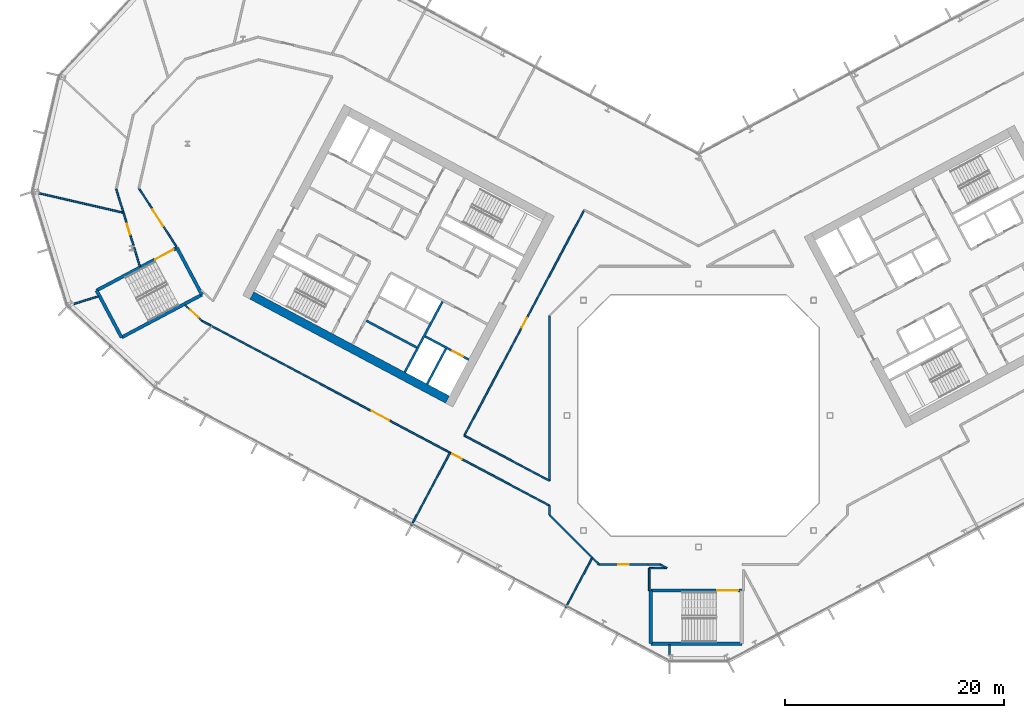
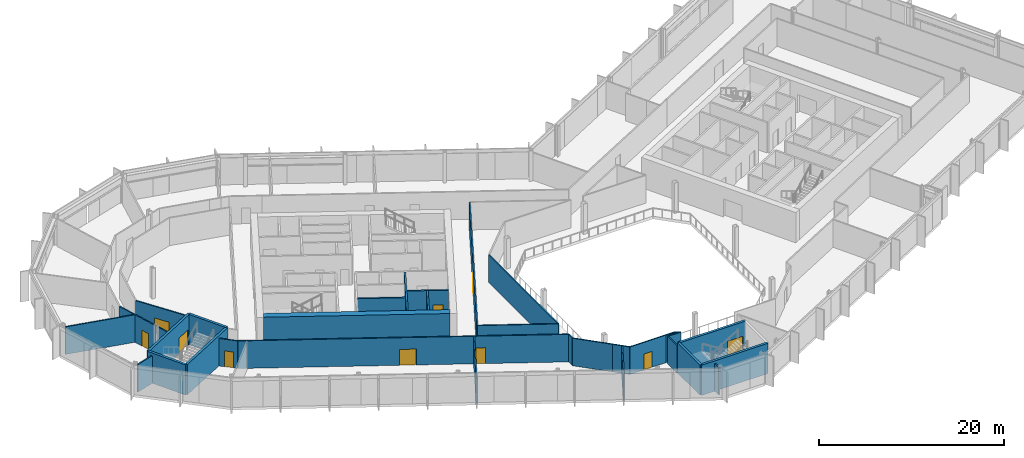
# One storey, part 13 of 28: 36 walls, 10 doors, 10 openings.
"""IFC4 building model written with IfcOpenShell, lengths in metres."""

from ifc_helpers import new_model, si_unit, direction, frame, frame_2d, origin, place, context, subcontext, project, spatial, rectangle, extrude, material, layer, layer_set, type_object, element, fill, save


model = new_model("IFC4")

# Units and contexts
model_context = context("Model", 3, precision=1e-05, world=origin(), true_north=direction((0.0, 1.0)))
body_context = subcontext(model_context, "Body", "Model", "MODEL_VIEW")
ifc_project = project(units=[si_unit("LENGTHUNIT", "METRE"), si_unit("AREAUNIT", "SQUARE_METRE"), si_unit("VOLUMEUNIT", "CUBIC_METRE"), si_unit("PLANEANGLEUNIT", "RADIAN"), si_unit("MASSUNIT", "GRAM", prefix="KILO")], contexts=[model_context])

# Site, building, storey
site_placement = place(None, origin())
site = spatial("IfcSite", under=ifc_project, at=site_placement, CompositionType="ELEMENT")
building_placement = place(site_placement, origin())
building = spatial("IfcBuilding", under=site, at=building_placement, Name="Cormorant Relay Tower", CompositionType="ELEMENT")
storey_placement = place(building_placement, frame((0.0, 0.0, 166.199951171875)))
storey = spatial("IfcBuildingStorey", under=building, at=storey_placement, Name="L35", CompositionType="ELEMENT", Elevation=166.199951171875)

# Walls
ifc_material_1 = material(Name="Concrete 40 MPa", Category="concrete")
ifc_layer_1 = layer(ifc_material_1, 0.199951171875)
ifc_layer_set_1 = layer_set([ifc_layer_1], Name="Core internal wall 200")
wall_type_1 = type_object("IfcWallType", Name="Core internal wall 200", PredefinedType="SOLIDWALL", material=ifc_layer_set_1)
wall_1_placement = place(storey_placement, frame((-25.701904296875, 6.19091796875, 0.0), z_axis=(0.0, 0.0, 1.0), x_axis=(-0.882934506056, 0.469496174655, 0.0)))
element("IfcWall", 1, at=wall_1_placement, inside=storey, type_object=wall_type_1, Name="L35 core A shaft and room wall", PredefinedType="SOLIDWALL", context=body_context, shape_type="SweptSolid", body=[
    extrude(rectangle(XDim=5.199951171875, YDim=0.199951171875, at=frame_2d((2.60009765625, 0.0))), origin(), (0.0, 0.0, 1.0), 4.0),
])
ifc_material_2 = material(Name="Concrete 50 MPa", Category="concrete")
ifc_layer_2 = layer(ifc_material_2, 0.199951171875)
ifc_layer_set_2 = layer_set([ifc_layer_2], Name="Core shaft wall 200")
wall_type_2 = type_object("IfcWallType", Name="Core shaft wall 200", PredefinedType="SHEAR", material=ifc_layer_set_2)
wall_2_placement = place(storey_placement, frame((-23.04296875, 6.07958984375, 0.0), z_axis=(0.0, 0.0, 1.0), x_axis=(-0.469494272526, -0.882935517501, 0.0)))
element("IfcWall", 2, at=wall_2_placement, inside=storey, type_object=wall_type_2, Name="L35 core A shaft wall", PredefinedType="SHEAR", context=body_context, shape_type="SweptSolid", body=[
    extrude(rectangle(XDim=3.64990234375, YDim=0.199951171875, at=frame_2d((1.824951171875, 0.0))), origin(), (0.0, 0.0, 1.0), 4.0),
])
wall_3_placement = place(storey_placement, frame((-23.360107421875, 10.38232421875, 0.0), z_axis=(0.0, 0.0, 1.0), x_axis=(-0.469480409012, -0.88294288918, 0.0)))
element("IfcWall", 3, at=wall_3_placement, inside=storey, type_object=wall_type_2, Name="L35 core A shaft wall", PredefinedType="SHEAR", context=body_context, shape_type="SweptSolid", body=[
    extrude(rectangle(XDim=7.300048828125, YDim=0.199951171875, at=frame_2d((3.64990234375, 0.0))), origin(), (0.0, 0.0, 1.0), 4.0),
])

# Wall, opening, door
wall_4_placement = place(storey_placement, frame((-20.96533203125, 5.088134765625, 0.0), z_axis=(0.0, 0.0, 1.0), x_axis=(-0.882925986334, 0.469512196493, 0.0)))
wall_4 = element("IfcWall", 4, at=wall_4_placement, inside=storey, type_object=wall_type_2, Name="L35 core A shaft wall", PredefinedType="SHEAR", context=body_context, shape_type="SweptSolid", body=[
    extrude(rectangle(XDim=4.5, YDim=0.199951171875, at=frame_2d((2.25, 0.0))), origin(), (0.0, 0.0, 1.0), 4.0),
])
opening_1_placement = place(wall_4_placement, frame((0.60009765625, 0.0, 0.0)))
opening_1 = element("IfcOpeningElement", 5, at=opening_1_placement, cuts=wall_4, Name="Opening LD1-043", PredefinedType="OPENING", context=body_context, shape_type="SweptSolid", body=[
    extrude(rectangle(XDim=1.10009765625, YDim=2.10009765625, at=frame_2d((0.550048828125, 1.050048828125))), frame((0.0, 0.10986328125, 0.0), z_axis=(0.0, -1.0, 0.0), x_axis=(1.0, 0.0, 0.0)), (0.0, 0.0, 1.0), 0.219970703125),
])
ifc_material_3 = material(Name="Stainless steel 316", Category="steel")
door_type_1 = type_object("IfcDoorType", Name="Lift landing door 1100x2100", OperationType="DOUBLE_DOOR_SLIDING", PredefinedType="DOOR", material=ifc_material_3)
door_1_placement = place(opening_1_placement, origin())
door_1 = element("IfcDoor", 6, at=door_1_placement, inside=storey, type_object=door_type_1, Name="FF1 landing door", OperationType="DOUBLE_DOOR_SLIDING", OverallHeight=2.10009765625, OverallWidth=1.10009765625, PredefinedType="DOOR", context=body_context, shape_type="SweptSolid", body=[
    extrude(rectangle(XDim=1.10009765625, YDim=2.10009765625, at=frame_2d((0.550048828125, 1.050048828125))), frame((0.0, 0.02490234375, 0.0), z_axis=(0.0, -1.0, 0.0), x_axis=(1.0, 0.0, 0.0)), (0.0, 0.0, 1.0), 0.050048828125),
])
fill(opening_1, door_1)

# Walls
ifc_material_4 = material(Name="Concrete 60 MPa", Category="concrete")
ifc_layer_3 = layer(ifc_material_4, 0.75)
ifc_layer_set_3 = layer_set([ifc_layer_3], Name="Core wall 750")
wall_type_3 = type_object("IfcWallType", Name="Core wall 750", PredefinedType="SHEAR", material=ifc_layer_set_3)
wall_5_placement = place(storey_placement, frame((-22.90185546875, 1.446044921875, 0.0), z_axis=(0.0, 0.0, 1.0), x_axis=(-0.88294509198, 0.469476266226, 0.0)))
element("IfcWall", 7, at=wall_5_placement, inside=storey, type_object=wall_type_3, Name="L35 core A wall", PredefinedType="SHEAR", context=body_context, shape_type="SweptSolid", body=[
    extrude(rectangle(XDim=20.199951171875, YDim=0.75, at=frame_2d((10.10009765625, 0.0))), origin(), (0.0, 0.0, 1.0), 4.0),
])
ifc_material_5 = material(Name="Gypsum board fire partition")
ifc_layer_4 = layer(ifc_material_5, 0.14990234375)
ifc_layer_set_4 = layer_set([ifc_layer_4], Name="Corridor partition 150 EI 60")
wall_type_4 = type_object("IfcWallType", Name="Corridor partition 150 EI 60", PredefinedType="PARTITIONING", material=ifc_layer_set_4)
wall_6_placement = place(storey_placement, frame((-53.114990234375, 20.658935546875, 0.0), z_axis=(0.0, 0.0, 1.0), x_axis=(0.292062202153, -0.956399325634, 0.0)))
element("IfcWall", 8, at=wall_6_placement, inside=storey, type_object=wall_type_4, Name="wall/L35/part/005", PredefinedType="PARTITIONING", context=body_context, shape_type="SweptSolid", body=[
    extrude(rectangle(XDim=2.221923828125, YDim=0.14990234375, at=frame_2d((1.11083984375, 0.0))), origin(), (0.0, 0.0, 1.0), 3.64013671875),
])
wall_7_placement = place(storey_placement, frame((-50.958984375, 13.60400390625, 0.0), z_axis=(0.0, 0.0, 1.0), x_axis=(-0.292326826569, 0.95631847544, 0.0)))
element("IfcWall", 9, at=wall_7_placement, inside=storey, type_object=wall_type_4, Name="wall/L35/part/006", PredefinedType="PARTITIONING", context=body_context, shape_type="SweptSolid", body=[
    extrude(rectangle(XDim=1.775634765625, YDim=0.14990234375, at=frame_2d((0.8876953125, 0.0))), origin(), (0.0, 0.0, 1.0), 3.64013671875),
])

# Wall, opening, door
wall_8_placement = place(storey_placement, frame((-51.534912109375, 15.489990234375, 0.0), z_axis=(0.0, 0.0, 1.0), x_axis=(-0.292522494411, 0.956258641929, 0.0)))
wall_8 = element("IfcWall", 10, at=wall_8_placement, inside=storey, type_object=wall_type_4, Name="wall/L35/part/007", PredefinedType="PARTITIONING", context=body_context, shape_type="SweptSolid", body=[
    extrude(rectangle(XDim=3.18310546875, YDim=0.14990234375, at=frame_2d((1.591552734375, 0.0))), origin(), (0.0, 0.0, 1.0), 3.64013671875),
])
opening_2_placement = place(wall_8_placement, frame((1.050048828125, 0.0, 0.0)))
opening_2 = element("IfcOpeningElement", 11, at=opening_2_placement, cuts=wall_8, Name="Opening DS-012", PredefinedType="OPENING", context=body_context, shape_type="SweptSolid", body=[
    extrude(rectangle(XDim=1.0, YDim=2.10009765625, at=frame_2d((0.5, 1.050048828125))), frame((0.0, 0.0849609375, 0.0), z_axis=(0.0, -1.0, 0.0), x_axis=(1.0, 0.0, 0.0)), (0.0, 0.0, 1.0), 0.169921875),
])
ifc_material_6 = material(Name="Timber door leaf", Category="wood")
door_type_2 = type_object("IfcDoorType", Name="Suite door 1000x2100", OperationType="SINGLE_SWING_LEFT", PredefinedType="DOOR", material=ifc_material_6)
door_2_placement = place(opening_2_placement, origin())
door_2 = element("IfcDoor", 12, at=door_2_placement, inside=storey, type_object=door_type_2, Name="door/L35/015", OperationType="SINGLE_SWING_LEFT", OverallHeight=2.10009765625, OverallWidth=1.0, PredefinedType="DOOR", context=body_context, shape_type="SweptSolid", body=[
    extrude(rectangle(XDim=1.0, YDim=2.10009765625, at=frame_2d((0.5, 1.050048828125))), frame((0.0, 0.02490234375, 0.0), z_axis=(0.0, -1.0, 0.0), x_axis=(1.0, 0.0, 0.0)), (0.0, 0.0, 1.0), 0.050048828125),
])
fill(opening_2, door_2)

wall_9_placement = place(storey_placement, frame((-47.617919921875, 15.3798828125, 0.0), z_axis=(0.0, 0.0, 1.0), x_axis=(-0.539421032188, 0.842036192828, 0.0)))
wall_9 = element("IfcWall", 13, at=wall_9_placement, inside=storey, type_object=wall_type_4, Name="wall/L35/part/015", PredefinedType="PARTITIONING", context=body_context, shape_type="SweptSolid", body=[
    extrude(rectangle(XDim=6.35498046875, YDim=0.14990234375, at=frame_2d((3.177490234375, 0.0))), origin(), (0.0, 0.0, 1.0), 3.64013671875),
])
opening_3_placement = place(wall_9_placement, frame((2.25, 0.0, 0.0)))
opening_3 = element("IfcOpeningElement", 14, at=opening_3_placement, cuts=wall_9, Name="Opening DD-014", PredefinedType="OPENING", context=body_context, shape_type="SweptSolid", body=[
    extrude(rectangle(XDim=1.800048828125, YDim=2.10009765625, at=frame_2d((0.89990234375, 1.050048828125))), frame((0.0, 0.0849609375, 0.0), z_axis=(0.0, -1.0, 0.0), x_axis=(1.0, 0.0, 0.0)), (0.0, 0.0, 1.0), 0.169921875),
])
ifc_material_7 = material(Name="Timber door leaf", Category="wood")
door_type_3 = type_object("IfcDoorType", Name="Suite double door 1800x2100", OperationType="DOUBLE_DOOR_SINGLE_SWING", PredefinedType="DOOR", material=ifc_material_7)
door_3_placement = place(opening_3_placement, frame((1.800048828125, 0.0, 0.0), z_axis=(0.0, 0.0, 1.0), x_axis=(-1.0, 0.0, 0.0)))
door_3 = element("IfcDoor", 15, at=door_3_placement, inside=storey, type_object=door_type_3, Name="door/L35/001", OperationType="DOUBLE_DOOR_SINGLE_SWING", OverallHeight=2.10009765625, OverallWidth=1.800048828125, PredefinedType="DOOR", context=body_context, shape_type="SweptSolid", body=[
    extrude(rectangle(XDim=1.800048828125, YDim=2.10009765625, at=frame_2d((0.89990234375, 1.050048828125))), frame((0.0, 0.02490234375, 0.0), z_axis=(0.0, -1.0, 0.0), x_axis=(1.0, 0.0, 0.0)), (0.0, 0.0, 1.0), 0.050048828125),
])
fill(opening_3, door_3)

# Wall
wall_10_placement = place(storey_placement, frame((-44.4619140625, 8.180908203125, 0.0), z_axis=(0.0, 0.0, 1.0), x_axis=(-0.882750253305, 0.469842516478, 0.0)))
element("IfcWall", 16, at=wall_10_placement, inside=storey, type_object=wall_type_4, Name="wall/L35/part/022", PredefinedType="PARTITIONING", context=body_context, shape_type="SweptSolid", body=[
    extrude(rectangle(XDim=0.934814453125, YDim=0.14990234375, at=frame_2d((0.46728515625, 0.0))), origin(), (0.0, 0.0, 1.0), 3.64013671875),
])

# Wall, opening, door
wall_11_placement = place(storey_placement, frame((-45.287109375, 8.6201171875, 0.0), z_axis=(0.0, 0.0, 1.0), x_axis=(-0.731593637228, 0.681740969846, 0.0)))
wall_11 = element("IfcWall", 17, at=wall_11_placement, inside=storey, type_object=wall_type_4, Name="wall/L35/part/023", PredefinedType="PARTITIONING", context=body_context, shape_type="SweptSolid", body=[
    extrude(rectangle(XDim=2.12548828125, YDim=0.14990234375, at=frame_2d((1.062744140625, 0.0))), origin(), (0.0, 0.0, 1.0), 3.64013671875),
])
opening_4_placement = place(wall_11_placement, frame((0.449951171875, 0.0, 0.0)))
opening_4 = element("IfcOpeningElement", 18, at=opening_4_placement, cuts=wall_11, Name="Opening DS-013", PredefinedType="OPENING", context=body_context, shape_type="SweptSolid", body=[
    extrude(rectangle(XDim=1.0, YDim=2.10009765625, at=frame_2d((0.5, 1.050048828125))), frame((0.0, 0.0849609375, 0.0), z_axis=(0.0, -1.0, 0.0), x_axis=(1.0, 0.0, 0.0)), (0.0, 0.0, 1.0), 0.169921875),
])
door_4_placement = place(opening_4_placement, origin())
door_4 = element("IfcDoor", 19, at=door_4_placement, inside=storey, type_object=door_type_2, Name="door/L35/016", OperationType="SINGLE_SWING_RIGHT", OverallHeight=2.10009765625, OverallWidth=1.0, PredefinedType="DOOR", context=body_context, shape_type="SweptSolid", body=[
    extrude(rectangle(XDim=1.0, YDim=2.10009765625, at=frame_2d((0.5, 1.050048828125))), frame((0.0, 0.02490234375, 0.0), z_axis=(0.0, -1.0, 0.0), x_axis=(1.0, 0.0, 0.0)), (0.0, 0.0, 1.0), 0.050048828125),
])
fill(opening_4, door_4)

# Wall, openings, doors
wall_12_placement = place(storey_placement, frame((-13.60009765625, -8.22802734375, 0.0), z_axis=(0.0, 0.0, 1.0), x_axis=(-0.882954510497, 0.469458552369, 0.0)))
wall_12 = element("IfcWall", 20, at=wall_12_placement, inside=storey, type_object=wall_type_4, Name="wall/L35/part/024", PredefinedType="PARTITIONING", context=body_context, shape_type="SweptSolid", body=[
    extrude(rectangle(XDim=34.952880859375, YDim=0.14990234375, at=frame_2d((17.4765625, 0.0))), origin(), (0.0, 0.0, 1.0), 3.64013671875),
])
opening_5_placement = place(wall_12_placement, frame((16.550048828125, 0.0, 0.0)))
opening_5 = element("IfcOpeningElement", 21, at=opening_5_placement, cuts=wall_12, Name="Opening DD-012", PredefinedType="OPENING", context=body_context, shape_type="SweptSolid", body=[
    extrude(rectangle(XDim=1.800048828125, YDim=2.10009765625, at=frame_2d((0.89990234375, 1.050048828125))), frame((0.0, 0.0849609375, 0.0), z_axis=(0.0, -1.0, 0.0), x_axis=(1.0, 0.0, 0.0)), (0.0, 0.0, 1.0), 0.169921875),
])
opening_6_placement = place(wall_12_placement, frame((9.050048828125, 0.0, 0.0)))
opening_6 = element("IfcOpeningElement", 22, at=opening_6_placement, cuts=wall_12, Name="Opening DS-070", PredefinedType="OPENING", context=body_context, shape_type="SweptSolid", body=[
    extrude(rectangle(XDim=1.0, YDim=2.10009765625, at=frame_2d((0.5, 1.050048828125))), frame((0.0, 0.0849609375, 0.0), z_axis=(0.0, -1.0, 0.0), x_axis=(1.0, 0.0, 0.0)), (0.0, 0.0, 1.0), 0.169921875),
])
door_5_placement = place(opening_6_placement, origin())
door_5 = element("IfcDoor", 23, at=door_5_placement, inside=storey, type_object=door_type_2, Name="door/L35/018", OperationType="SINGLE_SWING_RIGHT", OverallHeight=2.10009765625, OverallWidth=1.0, PredefinedType="DOOR", context=body_context, shape_type="SweptSolid", body=[
    extrude(rectangle(XDim=1.0, YDim=2.10009765625, at=frame_2d((0.5, 1.050048828125))), frame((0.0, 0.02490234375, 0.0), z_axis=(0.0, -1.0, 0.0), x_axis=(1.0, 0.0, 0.0)), (0.0, 0.0, 1.0), 0.050048828125),
])
fill(opening_6, door_5)
door_6_placement = place(opening_5_placement, origin())
door_6 = element("IfcDoor", 24, at=door_6_placement, inside=storey, type_object=door_type_3, Name="door/L35/017", OperationType="DOUBLE_DOOR_SINGLE_SWING", OverallHeight=2.10009765625, OverallWidth=1.800048828125, PredefinedType="DOOR", context=body_context, shape_type="SweptSolid", body=[
    extrude(rectangle(XDim=1.800048828125, YDim=2.10009765625, at=frame_2d((0.89990234375, 1.050048828125))), frame((0.0, 0.02490234375, 0.0), z_axis=(0.0, -1.0, 0.0), x_axis=(1.0, 0.0, 0.0)), (0.0, 0.0, 1.0), 0.050048828125),
])
fill(opening_5, door_6)

# Walls
wall_13_placement = place(storey_placement, frame((-10.4541015625, -12.222900390625, 0.0), z_axis=(0.0, 0.0, 1.0), x_axis=(-0.707106781187, 0.707106781187, 0.0)))
element("IfcWall", 25, at=wall_13_placement, inside=storey, type_object=wall_type_4, Name="wall/L35/part/038", PredefinedType="PARTITIONING", context=body_context, shape_type="SweptSolid", body=[
    extrude(rectangle(XDim=4.44921875, YDim=0.14990234375, at=frame_2d((2.224609375, 0.0))), origin(), (0.0, 0.0, 1.0), 3.64013671875),
])
wall_14_placement = place(storey_placement, frame((-13.60009765625, -9.076904296875, 0.0), z_axis=(0.0, 0.0, 1.0), x_axis=(0.0, 1.0, 0.0)))
element("IfcWall", 26, at=wall_14_placement, inside=storey, type_object=wall_type_4, Name="wall/L35/part/039", PredefinedType="PARTITIONING", context=body_context, shape_type="SweptSolid", body=[
    extrude(rectangle(XDim=0.843994140625, YDim=0.14990234375, at=frame_2d((0.421875, 0.0))), origin(), (0.0, 0.0, 1.0), 3.64013671875),
])
wall_15_placement = place(storey_placement, frame((-9.693115234375, -12.98388671875, 0.0), z_axis=(0.0, 0.0, 1.0), x_axis=(-0.707106781187, 0.707106781187, 0.0)))
element("IfcWall", 27, at=wall_15_placement, inside=storey, type_object=wall_type_4, Name="wall/L35/part/041", PredefinedType="PARTITIONING", context=body_context, shape_type="SweptSolid", body=[
    extrude(rectangle(XDim=1.076171875, YDim=0.14990234375, at=frame_2d((0.5380859375, 0.0))), origin(), (0.0, 0.0, 1.0), 3.64013671875),
])

# Wall, opening, door
wall_16_placement = place(storey_placement, frame((-4.595947265625, -13.60009765625, 0.0), z_axis=(0.0, 0.0, 1.0), x_axis=(-1.0, 0.0, 0.0)))
wall_16 = element("IfcWall", 28, at=wall_16_placement, inside=storey, type_object=wall_type_4, Name="wall/L35/part/042", PredefinedType="PARTITIONING", context=body_context, shape_type="SweptSolid", body=[
    extrude(rectangle(XDim=4.48095703125, YDim=0.14990234375, at=frame_2d((2.240478515625, 0.0))), origin(), (0.0, 0.0, 1.0), 3.64013671875),
])
opening_7_placement = place(wall_16_placement, frame((1.75, 0.0, 0.0)))
opening_7 = element("IfcOpeningElement", 29, at=opening_7_placement, cuts=wall_16, Name="Opening DS-071", PredefinedType="OPENING", context=body_context, shape_type="SweptSolid", body=[
    extrude(rectangle(XDim=1.0, YDim=2.10009765625, at=frame_2d((0.5, 1.050048828125))), frame((0.0, 0.0849609375, 0.0), z_axis=(0.0, -1.0, 0.0), x_axis=(1.0, 0.0, 0.0)), (0.0, 0.0, 1.0), 0.169921875),
])
door_7_placement = place(opening_7_placement, origin())
door_7 = element("IfcDoor", 30, at=door_7_placement, inside=storey, type_object=door_type_2, Name="door/L35/019", OperationType="SINGLE_SWING_LEFT", OverallHeight=2.10009765625, OverallWidth=1.0, PredefinedType="DOOR", context=body_context, shape_type="SweptSolid", body=[
    extrude(rectangle(XDim=1.0, YDim=2.10009765625, at=frame_2d((0.5, 1.050048828125))), frame((0.0, 0.02490234375, 0.0), z_axis=(0.0, -1.0, 0.0), x_axis=(1.0, 0.0, 0.0)), (0.0, 0.0, 1.0), 0.050048828125),
])
fill(opening_7, door_7)

# Walls
wall_17_placement = place(storey_placement, frame((-9.076904296875, -13.60009765625, 0.0), z_axis=(0.0, 0.0, 1.0), x_axis=(-0.707106781187, 0.707106781187, 0.0)))
element("IfcWall", 31, at=wall_17_placement, inside=storey, type_object=wall_type_4, Name="wall/L35/part/043", PredefinedType="PARTITIONING", context=body_context, shape_type="SweptSolid", body=[
    extrude(rectangle(XDim=0.871337890625, YDim=0.14990234375, at=frame_2d((0.435546875, 0.0))), origin(), (0.0, 0.0, 1.0), 3.64013671875),
])
wall_18_placement = place(storey_placement, frame((-2.885986328125, -13.925048828125, 0.0), z_axis=(0.0, 0.0, 1.0), x_axis=(-0.882928394432, 0.469507667994, 0.0)))
element("IfcWall", 32, at=wall_18_placement, inside=storey, type_object=wall_type_4, Name="wall/L35/part/044", PredefinedType="PARTITIONING", context=body_context, shape_type="SweptSolid", body=[
    extrude(rectangle(XDim=0.692138671875, YDim=0.14990234375, at=frame_2d((0.34619140625, 0.0))), origin(), (0.0, 0.0, 1.0), 3.64013671875),
])
wall_19_placement = place(storey_placement, frame((-3.4970703125, -13.60009765625, 0.0), z_axis=(0.0, 0.0, 1.0), x_axis=(-1.0, 0.0, 0.0)))
element("IfcWall", 33, at=wall_19_placement, inside=storey, type_object=wall_type_4, Name="wall/L35/part/045", PredefinedType="PARTITIONING", context=body_context, shape_type="SweptSolid", body=[
    extrude(rectangle(XDim=1.098876953125, YDim=0.14990234375, at=frame_2d((0.54931640625, 0.0))), origin(), (0.0, 0.0, 1.0), 3.64013671875),
])
wall_20_placement = place(storey_placement, frame((-4.5, -15.97509765625, 0.0), z_axis=(0.0, 0.0, 1.0), x_axis=(0.0, 1.0, 0.0)))
element("IfcWall", 34, at=wall_20_placement, inside=storey, type_object=wall_type_4, Name="wall/L35/part/046", PredefinedType="PARTITIONING", context=body_context, shape_type="SweptSolid", body=[
    extrude(rectangle(XDim=2.050048828125, YDim=0.14990234375, at=frame_2d((1.02490234375, 0.0))), origin(), (0.0, 0.0, 1.0), 3.64013671875),
])
wall_21_placement = place(storey_placement, frame((-2.908935546875, -13.925048828125, 0.0), z_axis=(0.0, 0.0, 1.0), x_axis=(-0.999999811638, -0.000613779231, 0.0)))
element("IfcWall", 35, at=wall_21_placement, inside=storey, type_object=wall_type_4, Name="wall/L35/part/047", PredefinedType="PARTITIONING", context=body_context, shape_type="SweptSolid", body=[
    extrude(rectangle(XDim=1.591064453125, YDim=0.14990234375, at=frame_2d((0.79541015625, 0.0))), origin(), (0.0, 0.0, 1.0), 3.64013671875),
])

# Wall, opening, door
wall_22_placement = place(storey_placement, frame((-21.362060546875, -1.8359375, 0.0), z_axis=(0.0, 0.0, 1.0), x_axis=(0.469442492633, 0.88296304912, 0.0)))
wall_22 = element("IfcWall", 36, at=wall_22_placement, inside=storey, type_object=wall_type_4, Name="wall/L35/part/076", PredefinedType="PARTITIONING", context=body_context, shape_type="SweptSolid", body=[
    extrude(rectangle(XDim=23.300048828125, YDim=0.14990234375, at=frame_2d((11.64990234375, 0.0))), origin(), (0.0, 0.0, 1.0), 3.64013671875),
])
opening_8_placement = place(wall_22_placement, frame((11.14990234375, 0.0, 0.0)))
opening_8 = element("IfcOpeningElement", 37, at=opening_8_placement, cuts=wall_22, Name="Opening DS-063", PredefinedType="OPENING", context=body_context, shape_type="SweptSolid", body=[
    extrude(rectangle(XDim=1.0, YDim=2.10009765625, at=frame_2d((0.5, 1.050048828125))), frame((0.0, 0.0849609375, 0.0), z_axis=(0.0, -1.0, 0.0), x_axis=(1.0, 0.0, 0.0)), (0.0, 0.0, 1.0), 0.169921875),
])
door_8_placement = place(opening_8_placement, frame((1.0, 0.0, 0.0), z_axis=(0.0, 0.0, 1.0), x_axis=(-1.0, 0.0, 0.0)))
door_8 = element("IfcDoor", 38, at=door_8_placement, inside=storey, type_object=door_type_2, Name="door/L35/002", OperationType="SINGLE_SWING_LEFT", OverallHeight=2.10009765625, OverallWidth=1.0, PredefinedType="DOOR", context=body_context, shape_type="SweptSolid", body=[
    extrude(rectangle(XDim=1.0, YDim=2.10009765625, at=frame_2d((0.5, 1.050048828125))), frame((0.0, 0.02490234375, 0.0), z_axis=(0.0, -1.0, 0.0), x_axis=(1.0, 0.0, 0.0)), (0.0, 0.0, 1.0), 0.050048828125),
])
fill(opening_8, door_8)

# Walls
wall_23_placement = place(storey_placement, frame((-13.60009765625, 9.076904296875, 0.0), z_axis=(0.0, 0.0, 1.0), x_axis=(0.0, -1.0, 0.0)))
element("IfcWall", 39, at=wall_23_placement, inside=storey, type_object=wall_type_4, Name="wall/L35/part/080", PredefinedType="PARTITIONING", context=body_context, shape_type="SweptSolid", body=[
    extrude(rectangle(XDim=15.039794921875, YDim=0.14990234375, at=frame_2d((7.52001953125, 0.0))), origin(), (0.0, 0.0, 1.0), 3.64013671875),
])
wall_24_placement = place(storey_placement, frame((-13.60009765625, -5.962890625, 0.0), z_axis=(0.0, 0.0, 1.0), x_axis=(-0.882954936964, 0.469457750273, 0.0)))
element("IfcWall", 40, at=wall_24_placement, inside=storey, type_object=wall_type_4, Name="wall/L35/part/081", PredefinedType="PARTITIONING", context=body_context, shape_type="SweptSolid", body=[
    extrude(rectangle(XDim=8.791015625, YDim=0.14990234375, at=frame_2d((4.3955078125, 0.0))), origin(), (0.0, 0.0, 1.0), 3.64013671875),
])
ifc_material_8 = material(Name="Concrete 50 MPa", Category="concrete")
ifc_layer_5 = layer(ifc_material_8, 0.300048828125)
ifc_layer_set_5 = layer_set([ifc_layer_5], Name="Remote stair wall 300")
wall_type_5 = type_object("IfcWallType", Name="Remote stair wall 300", PredefinedType="SHEAR", material=ifc_layer_set_5)
wall_25_placement = place(storey_placement, frame((3.949951171875, -20.824951171875, 0.0), z_axis=(0.0, 0.0, 1.0), x_axis=(-1.0, 0.0, 0.0)))
element("IfcWall", 41, at=wall_25_placement, inside=storey, type_object=wall_type_5, Name="L35 exit stair RK1 wall", PredefinedType="SHEAR", context=body_context, shape_type="SweptSolid", body=[
    extrude(rectangle(XDim=8.300048828125, YDim=0.300048828125, at=frame_2d((4.14990234375, 0.0))), origin(), (0.0, 0.0, 1.0), 4.0),
])
wall_26_placement = place(storey_placement, frame((-4.35009765625, -20.824951171875, 0.0), z_axis=(0.0, 0.0, 1.0), x_axis=(0.0, 1.0, 0.0)))
element("IfcWall", 42, at=wall_26_placement, inside=storey, type_object=wall_type_5, Name="L35 exit stair RK1 wall", PredefinedType="SHEAR", context=body_context, shape_type="SweptSolid", body=[
    extrude(rectangle(XDim=4.849853515625, YDim=0.300048828125, at=frame_2d((2.4248046875, 0.0))), origin(), (0.0, 0.0, 1.0), 4.0),
])

# Wall, opening, door
wall_27_placement = place(storey_placement, frame((-4.35009765625, -15.97509765625, 0.0), z_axis=(0.0, 0.0, 1.0), x_axis=(1.0, 0.0, 0.0)))
wall_27 = element("IfcWall", 43, at=wall_27_placement, inside=storey, type_object=wall_type_5, Name="L35 exit stair RK1 wall", PredefinedType="SHEAR", context=body_context, shape_type="SweptSolid", body=[
    extrude(rectangle(XDim=8.300048828125, YDim=0.300048828125, at=frame_2d((4.14990234375, 0.0))), origin(), (0.0, 0.0, 1.0), 4.0),
])
opening_9_placement = place(wall_27_placement, frame((6.050048828125, 0.0, 0.0)))
opening_9 = element("IfcOpeningElement", 44, at=opening_9_placement, cuts=wall_27, Name="Opening CDE-012", PredefinedType="OPENING", context=body_context, shape_type="SweptSolid", body=[
    extrude(rectangle(XDim=1.89990234375, YDim=2.10009765625, at=frame_2d((0.949951171875, 1.050048828125))), frame((0.0, 0.159912109375, 0.0), z_axis=(0.0, -1.0, 0.0), x_axis=(1.0, 0.0, 0.0)), (0.0, 0.0, 1.0), 0.320068359375),
])
ifc_material_9 = material(Name="Steel fire door", Category="steel")
door_type_4 = type_object("IfcDoorType", Name="Remote stair door 1900x2100", OperationType="DOUBLE_DOOR_SINGLE_SWING", PredefinedType="DOOR", material=ifc_material_9)
door_9_placement = place(opening_9_placement, frame((1.89990234375, 0.0, 0.0), z_axis=(0.0, 0.0, 1.0), x_axis=(-1.0, 0.0, 0.0)))
door_9 = element("IfcDoor", 45, at=door_9_placement, inside=storey, type_object=door_type_4, Name="Exit stair RK1 door", OperationType="DOUBLE_DOOR_SINGLE_SWING", OverallHeight=2.10009765625, OverallWidth=1.89990234375, PredefinedType="DOOR", context=body_context, shape_type="SweptSolid", body=[
    extrude(rectangle(XDim=1.89990234375, YDim=2.10009765625, at=frame_2d((0.949951171875, 1.050048828125))), frame((0.0, 0.02490234375, 0.0), z_axis=(0.0, -1.0, 0.0), x_axis=(1.0, 0.0, 0.0)), (0.0, 0.0, 1.0), 0.050048828125),
])
fill(opening_9, door_9)

# Walls
wall_28_placement = place(storey_placement, frame((-47.57421875, 15.28955078125, 0.0), z_axis=(0.0, 0.0, 1.0), x_axis=(0.469443498566, -0.882962514297, 0.0)))
element("IfcWall", 46, at=wall_28_placement, inside=storey, type_object=wall_type_5, Name="L35 exit stair RP1 wall", PredefinedType="SHEAR", context=body_context, shape_type="SweptSolid", body=[
    extrude(rectangle(XDim=4.85009765625, YDim=0.300048828125, at=frame_2d((2.425048828125, 0.0))), origin(), (0.0, 0.0, 1.0), 4.0),
])
wall_29_placement = place(storey_placement, frame((-45.29736328125, 11.007080078125, 0.0), z_axis=(0.0, 0.0, 1.0), x_axis=(-0.882951519127, -0.469464178475, 0.0)))
element("IfcWall", 47, at=wall_29_placement, inside=storey, type_object=wall_type_5, Name="L35 exit stair RP1 wall", PredefinedType="SHEAR", context=body_context, shape_type="SweptSolid", body=[
    extrude(rectangle(XDim=8.2998046875, YDim=0.300048828125, at=frame_2d((4.14990234375, 0.0))), origin(), (0.0, 0.0, 1.0), 4.0),
])
wall_30_placement = place(storey_placement, frame((-52.625732421875, 7.110595703125, 0.0), z_axis=(0.0, 0.0, 1.0), x_axis=(-0.469464364128, 0.882951420416, 0.0)))
element("IfcWall", 48, at=wall_30_placement, inside=storey, type_object=wall_type_5, Name="L35 exit stair RP1 wall", PredefinedType="SHEAR", context=body_context, shape_type="SweptSolid", body=[
    extrude(rectangle(XDim=4.849853515625, YDim=0.300048828125, at=frame_2d((2.4248046875, 0.0))), origin(), (0.0, 0.0, 1.0), 4.0),
])

# Wall, opening, door
wall_31_placement = place(storey_placement, frame((-54.902587890625, 11.392822265625, 0.0), z_axis=(0.0, 0.0, 1.0), x_axis=(0.882939326045, 0.469487110071, 0.0)))
wall_31 = element("IfcWall", 49, at=wall_31_placement, inside=storey, type_object=wall_type_5, Name="L35 exit stair RP1 wall", PredefinedType="SHEAR", context=body_context, shape_type="SweptSolid", body=[
    extrude(rectangle(XDim=8.300048828125, YDim=0.300048828125, at=frame_2d((4.14990234375, 0.0))), origin(), (0.0, 0.0, 1.0), 4.0),
])
opening_10_placement = place(wall_31_placement, frame((6.050048828125, 0.0, 0.0)))
opening_10 = element("IfcOpeningElement", 50, at=opening_10_placement, cuts=wall_31, Name="Opening CDE-013", PredefinedType="OPENING", context=body_context, shape_type="SweptSolid", body=[
    extrude(rectangle(XDim=1.89990234375, YDim=2.10009765625, at=frame_2d((0.949951171875, 1.050048828125))), frame((0.0, 0.159912109375, 0.0), z_axis=(0.0, -1.0, 0.0), x_axis=(1.0, 0.0, 0.0)), (0.0, 0.0, 1.0), 0.320068359375),
])
door_10_placement = place(opening_10_placement, frame((1.89990234375, 0.0, 0.0), z_axis=(0.0, 0.0, 1.0), x_axis=(-1.0, 0.0, 0.0)))
door_10 = element("IfcDoor", 51, at=door_10_placement, inside=storey, type_object=door_type_4, Name="Exit stair RP1 door", OperationType="DOUBLE_DOOR_SINGLE_SWING", OverallHeight=2.10009765625, OverallWidth=1.89990234375, PredefinedType="DOOR", context=body_context, shape_type="SweptSolid", body=[
    extrude(rectangle(XDim=1.89990234375, YDim=2.10009765625, at=frame_2d((0.949951171875, 1.050048828125))), frame((0.0, 0.02490234375, 0.0), z_axis=(0.0, -1.0, 0.0), x_axis=(1.0, 0.0, 0.0)), (0.0, 0.0, 1.0), 0.050048828125),
])
fill(opening_10, door_10)

# Walls
ifc_material_10 = material(Name="Gypsum board partition")
ifc_layer_6 = layer(ifc_material_10, 0.14990234375)
ifc_layer_set_6 = layer_set([ifc_layer_6], Name="Tenant partition 150")
wall_type_6 = type_object("IfcWallType", Name="Tenant partition 150", PredefinedType="PARTITIONING", material=ifc_layer_set_6)
wall_32_placement = place(storey_placement, frame((-52.449951171875, 18.48388671875, 0.0), z_axis=(0.0, 0.0, 1.0), x_axis=(-0.974348948829, 0.225042498023, 0.0)))
element("IfcWall", 52, at=wall_32_placement, inside=storey, type_object=wall_type_6, Name="wall/L35/part/001", PredefinedType="PARTITIONING", context=body_context, shape_type="SweptSolid", body=[
    extrude(rectangle(XDim=7.892333984375, YDim=0.14990234375, at=frame_2d((3.9462890625, 0.0))), origin(), (0.0, 0.0, 1.0), 3.64013671875),
])
wall_33_placement = place(storey_placement, frame((-54.73193359375, 10.85693359375, 0.0), z_axis=(0.0, 0.0, 1.0), x_axis=(-0.956196980242, -0.292723991119, 0.0)))
element("IfcWall", 53, at=wall_33_placement, inside=storey, type_object=wall_type_6, Name="wall/L35/part/003", PredefinedType="PARTITIONING", context=body_context, shape_type="SweptSolid", body=[
    extrude(rectangle(XDim=2.343505859375, YDim=0.14990234375, at=frame_2d((1.171875, 0.0))), origin(), (0.0, 0.0, 1.0), 3.64013671875),
])
wall_34_placement = place(storey_placement, frame((-22.669921875, -3.406005859375, 0.0), z_axis=(0.0, 0.0, 1.0), x_axis=(-0.469451537303, -0.882958240306, 0.0)))
element("IfcWall", 54, at=wall_34_placement, inside=storey, type_object=wall_type_6, Name="wall/L35/part/012", PredefinedType="PARTITIONING", context=body_context, shape_type="SweptSolid", body=[
    extrude(rectangle(XDim=7.549560546875, YDim=0.14990234375, at=frame_2d((3.77490234375, 0.0))), origin(), (0.0, 0.0, 1.0), 3.64013671875),
])
wall_35_placement = place(storey_placement, frame((-9.696044921875, -12.98095703125, 0.0), z_axis=(0.0, 0.0, 1.0), x_axis=(-0.469664493403, -0.882844982789, 0.0)))
element("IfcWall", 55, at=wall_35_placement, inside=storey, type_object=wall_type_6, Name="wall/L35/part/040", PredefinedType="PARTITIONING", context=body_context, shape_type="SweptSolid", body=[
    extrude(rectangle(XDim=5.186767578125, YDim=0.14990234375, at=frame_2d((2.59326171875, 0.0))), origin(), (0.0, 0.0, 1.0), 3.64013671875),
])
wall_36_placement = place(storey_placement, frame((-2.64892578125, -20.925048828125, 0.0), z_axis=(0.0, 0.0, 1.0), x_axis=(0.0, -1.0, 0.0)))
element("IfcWall", 56, at=wall_36_placement, inside=storey, type_object=wall_type_6, Name="wall/L35/part/048", PredefinedType="PARTITIONING", context=body_context, shape_type="SweptSolid", body=[
    extrude(rectangle(XDim=0.90283203125, YDim=0.14990234375, at=frame_2d((0.451416015625, 0.0))), origin(), (0.0, 0.0, 1.0), 3.64013671875),
])

save(model, "model.ifc")
